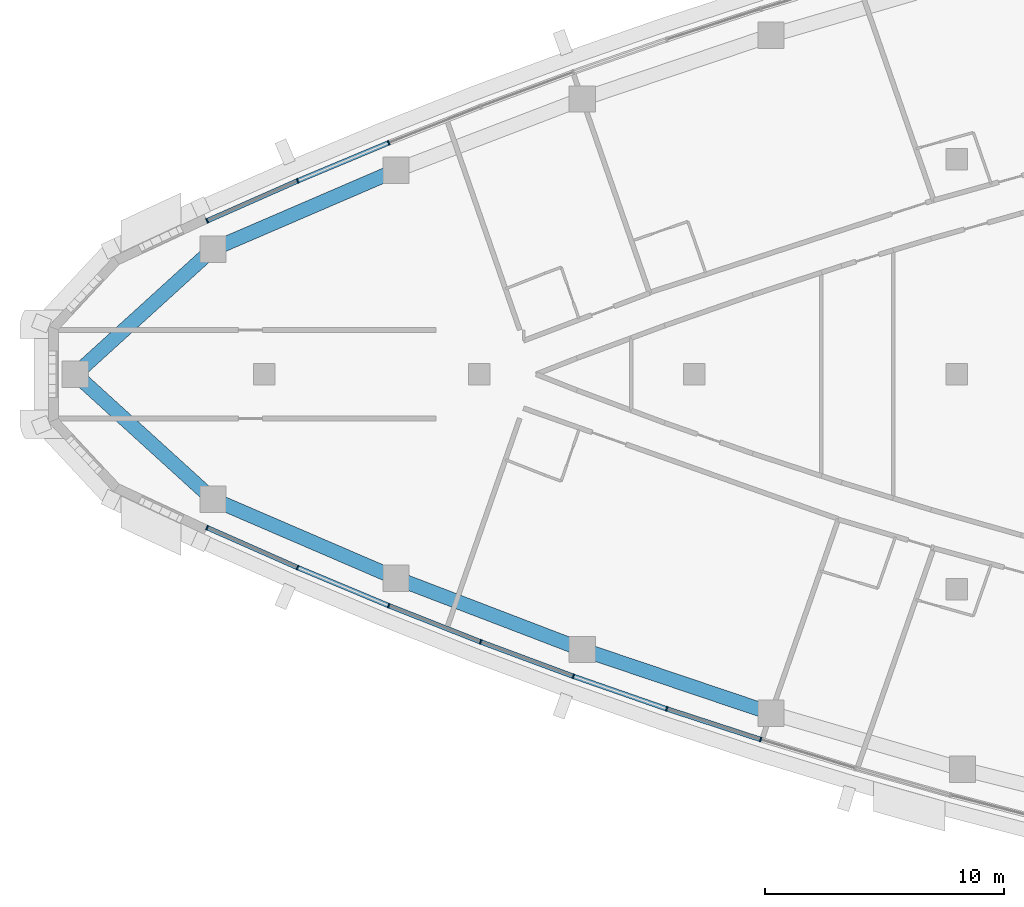
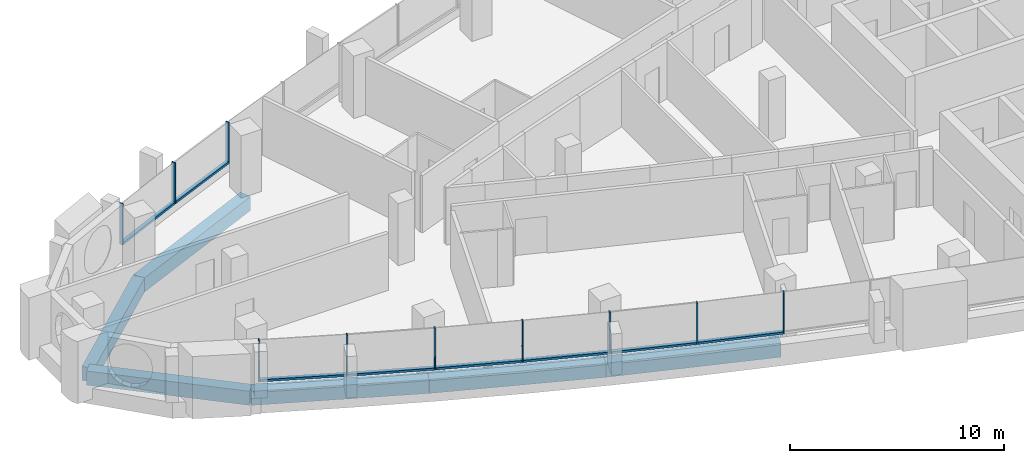
# One storey, part 2 of 14: 18 members, 6 beams, 5 elements without a shape of their own.
"""IFC4 building model written with IfcOpenShell, lengths in metres."""

from ifc_helpers import new_model, si_unit, direction, frame, origin, origin_2d, place, context, subcontext, project, spatial, rectangle, extrude, material, layer, layer_set, material_profile, profile_set, type_object, element, aggregate, save


model = new_model("IFC4")

# Units and contexts
model_context = context("Model", 3, precision=1e-05, world=origin(), true_north=direction((0.0, 1.0)))
body_context = subcontext(model_context, "Body", "Model", "MODEL_VIEW")
ifc_project = project(units=[si_unit("LENGTHUNIT", "METRE"), si_unit("AREAUNIT", "SQUARE_METRE"), si_unit("VOLUMEUNIT", "CUBIC_METRE"), si_unit("PLANEANGLEUNIT", "RADIAN"), si_unit("MASSUNIT", "GRAM", prefix="KILO")], contexts=[model_context])

# Site, building, storey
site_placement = place(None, origin())
site = spatial("IfcSite", under=ifc_project, at=site_placement, CompositionType="ELEMENT")
building_placement = place(site_placement, origin())
building = spatial("IfcBuilding", under=site, at=building_placement, Name="Ostrand Prow Hotel Tower", CompositionType="ELEMENT")
storey_placement = place(building_placement, frame((0.0, 0.0, 271.449951171875)))
storey = spatial("IfcBuildingStorey", under=building, at=storey_placement, Name="L68", CompositionType="ELEMENT", Elevation=271.449951171875)

# Beams
ifc_material_1 = material(Name="Concrete C50/60", Category="concrete")
ifc_material_profile_1 = material_profile(ifc_material_1, rectangle(XDim=0.60009765625, YDim=0.800048828125, at=origin_2d()), Name="RC 600x800")
ifc_profile_set_1 = profile_set([ifc_material_profile_1], Name="Concrete C50/60")
beam_type = type_object("IfcBeamType", Name="Edge beam 600x800 C50/60", PredefinedType="SPANDREL", material=ifc_profile_set_1)
beam_1_placement = place(storey_placement, frame((8.082763671875, 0.0, -0.699951171875), z_axis=(0.740124460758, -0.672469912032, 0.0), x_axis=(0.672469912032, 0.740124460758, 0.0)))
element("IfcBeam", 1, at=beam_1_placement, inside=storey, type_object=beam_type, Name="Edge beam P-S1", PredefinedType="SPANDREL", context=body_context, shape_type="SweptSolid", body=[
    extrude(rectangle(XDim=0.60009765625, YDim=0.800048828125, at=origin_2d()), origin(), (0.0, 0.0, 1.0), 7.787353515625),
])
for number, where, z_axis, x_axis, name in (
    (2, (13.846435546875, -5.23681640625, -0.699951171875), (0.918403788687, -0.39564438695, 0.0), (0.39564438695, 0.918403788687, 0.0), "Edge beam S1-S2"),
    (3, (21.51416015625, -8.5400390625, -0.699951171875), (0.933761753797, -0.357895218111, 0.0), (0.357895218111, 0.933761753797, 0.0), "Edge beam S2-S3"),
    (4, (29.31005859375, -11.528076171875, -0.699951171875), (0.947575089419, -0.319533174981, 0.0), (0.319533174981, 0.947575089419, 0.0), "Edge beam S3-S4"),
    (5, (21.51416015625, 8.5400390625, -0.699951171875), (-0.918403788687, -0.39564438695, 0.0), (0.39564438695, -0.918403788687, 0.0), "Edge beam N5-N6"),
):
    element("IfcBeam", number, at=place(storey_placement, frame(where, z_axis=z_axis, x_axis=x_axis)), inside=storey, type_object=beam_type, Name=name, PredefinedType="SPANDREL", context=body_context, shape_type="SweptSolid", body=[
        extrude(rectangle(XDim=0.60009765625, YDim=0.800048828125, at=origin_2d()), origin(), (0.0, 0.0, 1.0), 8.348876953125),
    ])
beam_2_placement = place(storey_placement, frame((13.846435546875, 5.23681640625, -0.699951171875), z_axis=(-0.740124460758, -0.672469912032, 0.0), x_axis=(0.672469912032, -0.740124460758, 0.0)))
element("IfcBeam", 6, at=beam_2_placement, inside=storey, type_object=beam_type, Name="Edge beam N6-P", PredefinedType="SPANDREL", context=body_context, shape_type="SweptSolid", body=[
    extrude(rectangle(XDim=0.60009765625, YDim=0.800048828125, at=origin_2d()), origin(), (0.0, 0.0, 1.0), 7.787353515625),
])

# Curtain wall, members
ifc_material_2 = material(Name="Insulated glass in bronze anodised frame", Category="glass")
ifc_layer = layer(ifc_material_2, 0.199951171875)
ifc_layer_set = layer_set([ifc_layer], Name="Insulated glass in bronze anodised frame")
curtain_wall_type = type_object("IfcCurtainWallType", Name="Strip curtain wall, fritted glass over bronze spandrel", PredefinedType="NOTDEFINED", material=ifc_layer_set)
curtain_wall_1_placement = place(storey_placement, origin())
curtain_wall_1 = element("IfcCurtainWall", 7, at=curtain_wall_1_placement, inside=storey, type_object=curtain_wall_type, Name="CW1 run CWS1", PredefinedType="NOTDEFINED")
ifc_material_3 = material(Name="Bronze anodised aluminium", Category="aluminium")
ifc_material_profile_2 = material_profile(ifc_material_3, rectangle(XDim=0.199951171875, YDim=0.06005859375, at=origin_2d()), Name="Mullion 60x200 bronze anodised aluminium")
ifc_profile_set_2 = profile_set([ifc_material_profile_2], Name="Bronze anodised aluminium")
member_type_1 = type_object("IfcMemberType", Name="Mullion 60x200 bronze anodised aluminium", PredefinedType="MULLION", material=ifc_profile_set_2)
member_1_placement = place(storey_placement, frame((13.60009765625, -6.423583984375, 0.900146484375), z_axis=(0.0, 0.0, 1.0), x_axis=(0.403939694592, 0.914785615941, 0.0)))
member_1 = element("IfcMember", 8, at=member_1_placement, type_object=member_type_1, Name="CW1 mullion 1", PredefinedType="MULLION", context=body_context, shape_type="SweptSolid", body=[
    extrude(rectangle(XDim=0.199951171875, YDim=0.06005859375, at=origin_2d()), origin(), (0.0, 0.0, 1.0), 2.349853515625),
])
member_2_placement = place(storey_placement, frame((17.386962890625, -8.095947265625, 0.900146484375), z_axis=(0.0, 0.0, 1.0), x_axis=(0.385471263659, 0.922719840955, 0.0)))
member_2 = element("IfcMember", 9, at=member_2_placement, type_object=member_type_1, Name="CW1 mullion 2", PredefinedType="MULLION", context=body_context, shape_type="SweptSolid", body=[
    extrude(rectangle(XDim=0.199951171875, YDim=0.06005859375, at=origin_2d()), origin(), (0.0, 0.0, 1.0), 2.349853515625),
])
member_3_placement = place(storey_placement, frame((21.206787109375, -9.691650390625, 0.900146484375), z_axis=(0.0, 0.0, 1.0), x_axis=(0.385471263659, 0.922719840955, 0.0)))
member_3 = element("IfcMember", 10, at=member_3_placement, type_object=member_type_1, Name="CW1 mullion 3", PredefinedType="MULLION", context=body_context, shape_type="SweptSolid", body=[
    extrude(rectangle(XDim=0.199951171875, YDim=0.06005859375, at=origin_2d()), origin(), (0.0, 0.0, 1.0), 2.349853515625),
])

curtain_wall_2_placement = place(storey_placement, origin())
curtain_wall_2 = element("IfcCurtainWall", 11, at=curtain_wall_2_placement, inside=storey, type_object=curtain_wall_type, Name="CW1 run CWS2", PredefinedType="NOTDEFINED")
member_4_placement = place(storey_placement, frame((25.05810546875, -11.210205078125, 0.900146484375), z_axis=(0.0, 0.0, 1.0), x_axis=(0.348071422738, 0.937468017947, 0.0)))
member_4 = element("IfcMember", 12, at=member_4_placement, type_object=member_type_1, Name="CW1 mullion 2", PredefinedType="MULLION", context=body_context, shape_type="SweptSolid", body=[
    extrude(rectangle(XDim=0.199951171875, YDim=0.06005859375, at=origin_2d()), origin(), (0.0, 0.0, 1.0), 2.349853515625),
])
member_5_placement = place(storey_placement, frame((28.93896484375, -12.6513671875, 0.900146484375), z_axis=(0.0, 0.0, 1.0), x_axis=(0.348071422738, 0.937468017947, 0.0)))
member_5 = element("IfcMember", 13, at=member_5_placement, type_object=member_type_1, Name="CW1 mullion 3", PredefinedType="MULLION", context=body_context, shape_type="SweptSolid", body=[
    extrude(rectangle(XDim=0.199951171875, YDim=0.06005859375, at=origin_2d()), origin(), (0.0, 0.0, 1.0), 2.349853515625),
])

curtain_wall_3_placement = place(storey_placement, origin())
curtain_wall_3 = element("IfcCurtainWall", 14, at=curtain_wall_3_placement, inside=storey, type_object=curtain_wall_type, Name="CW1 run CWS3", PredefinedType="NOTDEFINED")
member_6_placement = place(storey_placement, frame((32.84814453125, -14.013916015625, 0.900146484375), z_axis=(0.0, 0.0, 1.0), x_axis=(0.310110668289, 0.950700464612, 0.0)))
member_6 = element("IfcMember", 15, at=member_6_placement, type_object=member_type_1, Name="CW1 mullion 2", PredefinedType="MULLION", context=body_context, shape_type="SweptSolid", body=[
    extrude(rectangle(XDim=0.199951171875, YDim=0.06005859375, at=origin_2d()), origin(), (0.0, 0.0, 1.0), 2.349853515625),
])
member_7_placement = place(storey_placement, frame((36.78369140625, -15.297607421875, 0.900146484375), z_axis=(0.0, 0.0, 1.0), x_axis=(0.310110668289, 0.950700464612, 0.0)))
member_7 = element("IfcMember", 16, at=member_7_placement, type_object=member_type_1, Name="CW1 mullion 3", PredefinedType="MULLION", context=body_context, shape_type="SweptSolid", body=[
    extrude(rectangle(XDim=0.199951171875, YDim=0.06005859375, at=origin_2d()), origin(), (0.0, 0.0, 1.0), 2.349853515625),
])

# Curtain wall, member
curtain_wall_4_placement = place(storey_placement, origin())
curtain_wall_4 = element("IfcCurtainWall", 17, at=curtain_wall_4_placement, inside=storey, type_object=curtain_wall_type, Name="CW1 run CWN4", PredefinedType="NOTDEFINED")
member_8_placement = place(storey_placement, frame((21.206787109375, 9.691650390625, 0.900146484375), z_axis=(0.0, 0.0, 1.0), x_axis=(0.366845465248, -0.930281895249, 0.0)))
member_8 = element("IfcMember", 18, at=member_8_placement, type_object=member_type_1, Name="CW1 mullion 3", PredefinedType="MULLION", context=body_context, shape_type="SweptSolid", body=[
    extrude(rectangle(XDim=0.199951171875, YDim=0.06005859375, at=origin_2d()), origin(), (0.0, 0.0, 1.0), 2.349853515625),
])
aggregate(curtain_wall_4, [member_8])

# Curtain wall, members
curtain_wall_5_placement = place(storey_placement, origin())
curtain_wall_5 = element("IfcCurtainWall", 19, at=curtain_wall_5_placement, inside=storey, type_object=curtain_wall_type, Name="CW1 run CWN5", PredefinedType="NOTDEFINED")
member_9_placement = place(storey_placement, frame((17.386962890625, 8.095947265625, 0.900146484375), z_axis=(0.0, 0.0, 1.0), x_axis=(0.403939694592, -0.914785615941, 0.0)))
member_9 = element("IfcMember", 20, at=member_9_placement, type_object=member_type_1, Name="CW1 mullion 2", PredefinedType="MULLION", context=body_context, shape_type="SweptSolid", body=[
    extrude(rectangle(XDim=0.199951171875, YDim=0.06005859375, at=origin_2d()), origin(), (0.0, 0.0, 1.0), 2.349853515625),
])
member_10_placement = place(storey_placement, frame((13.60009765625, 6.423583984375, 0.900146484375), z_axis=(0.0, 0.0, 1.0), x_axis=(0.403939694592, -0.914785615941, 0.0)))
member_10 = element("IfcMember", 21, at=member_10_placement, type_object=member_type_1, Name="CW1 mullion 3", PredefinedType="MULLION", context=body_context, shape_type="SweptSolid", body=[
    extrude(rectangle(XDim=0.199951171875, YDim=0.06005859375, at=origin_2d()), origin(), (0.0, 0.0, 1.0), 2.349853515625),
])

# Member
ifc_material_4 = material(Name="Bronze anodised aluminium", Category="aluminium")
ifc_material_profile_3 = material_profile(ifc_material_4, rectangle(XDim=0.199951171875, YDim=0.1201171875, at=origin_2d()), Name="Transom 120x200 bronze anodised aluminium")
ifc_profile_set_3 = profile_set([ifc_material_profile_3], Name="Bronze anodised aluminium")
member_type_2 = type_object("IfcMemberType", Name="Transom 120x200 bronze anodised aluminium", PredefinedType="USERDEFINED", material=ifc_profile_set_3)
member_11_placement = place(storey_placement, frame((13.62744140625, -6.435791015625, 0.9599609375), z_axis=(0.914791011182, -0.403927475991, 0.0), x_axis=(0.403927475991, 0.914791011182, 0.0)))
member_11 = element("IfcMember", 22, at=member_11_placement, type_object=member_type_2, Name="CW1 transom 1.1", ObjectType="TRANSOM", PredefinedType="USERDEFINED", context=body_context, shape_type="SweptSolid", body=[
    extrude(rectangle(XDim=0.199951171875, YDim=0.1201171875, at=origin_2d()), origin(), (0.0, 0.0, 1.0), 4.079833984375),
])

member_12_placement = place(storey_placement, frame((17.414794921875, -8.107421875, 0.9599609375), z_axis=(0.922706465875, -0.385503278628, 0.0), x_axis=(0.385503278628, 0.922706465875, 0.0)))
member_12 = element("IfcMember", 23, at=member_12_placement, type_object=member_type_2, Name="CW1 transom 2.1", ObjectType="TRANSOM", PredefinedType="USERDEFINED", context=body_context, shape_type="SweptSolid", body=[
    extrude(rectangle(XDim=0.199951171875, YDim=0.1201171875, at=origin_2d()), origin(), (0.0, 0.0, 1.0), 4.079833984375),
])

aggregate(curtain_wall_1, [member_1, member_2, member_3, member_11, member_12])

member_13_placement = place(storey_placement, frame((21.23486328125, -9.70263671875, 0.9599609375), z_axis=(0.930289613186, -0.366825892759, 0.0), x_axis=(0.366825892759, 0.930289613186, 0.0)))
member_13 = element("IfcMember", 24, at=member_13_placement, type_object=member_type_2, Name="CW1 transom 1.1", ObjectType="TRANSOM", PredefinedType="USERDEFINED", context=body_context, shape_type="SweptSolid", body=[
    extrude(rectangle(XDim=0.199951171875, YDim=0.1201171875, at=origin_2d()), origin(), (0.0, 0.0, 1.0), 4.079833984375),
])

member_14_placement = place(storey_placement, frame((25.086181640625, -11.220703125, 0.9599609375), z_axis=(0.937460424566, -0.348091873465, 0.0), x_axis=(0.348091873465, 0.937460424566, 0.0)))
member_14 = element("IfcMember", 25, at=member_14_placement, type_object=member_type_2, Name="CW1 transom 2.1", ObjectType="TRANSOM", PredefinedType="USERDEFINED", context=body_context, shape_type="SweptSolid", body=[
    extrude(rectangle(XDim=0.199951171875, YDim=0.1201171875, at=origin_2d()), origin(), (0.0, 0.0, 1.0), 4.079833984375),
])

aggregate(curtain_wall_2, [member_4, member_5, member_13, member_14])

member_15_placement = place(storey_placement, frame((28.96728515625, -12.6611328125, 0.9599609375), z_axis=(0.944268108385, -0.329177367822, 0.0), x_axis=(0.329177367822, 0.944268108385, 0.0)))
member_15 = element("IfcMember", 26, at=member_15_placement, type_object=member_type_2, Name="CW1 transom 1.1", ObjectType="TRANSOM", PredefinedType="USERDEFINED", context=body_context, shape_type="SweptSolid", body=[
    extrude(rectangle(XDim=0.199951171875, YDim=0.1201171875, at=origin_2d()), origin(), (0.0, 0.0, 1.0), 4.079833984375),
])

member_16_placement = place(storey_placement, frame((32.876708984375, -14.023193359375, 0.9599609375), z_axis=(0.950704145978, -0.310099382165, 0.0), x_axis=(0.310099382165, 0.950704145978, 0.0)))
member_16 = element("IfcMember", 27, at=member_16_placement, type_object=member_type_2, Name="CW1 transom 2.1", ObjectType="TRANSOM", PredefinedType="USERDEFINED", context=body_context, shape_type="SweptSolid", body=[
    extrude(rectangle(XDim=0.199951171875, YDim=0.1201171875, at=origin_2d()), origin(), (0.0, 0.0, 1.0), 4.079833984375),
])

aggregate(curtain_wall_3, [member_6, member_7, member_15, member_16])

member_17_placement = place(storey_placement, frame((21.17919921875, 9.68017578125, 0.9599609375), z_axis=(-0.922706465875, -0.385503278628, 0.0), x_axis=(0.385503278628, -0.922706465875, 0.0)))
member_17 = element("IfcMember", 28, at=member_17_placement, type_object=member_type_2, Name="CW1 transom 1.1", ObjectType="TRANSOM", PredefinedType="USERDEFINED", context=body_context, shape_type="SweptSolid", body=[
    extrude(rectangle(XDim=0.199951171875, YDim=0.1201171875, at=origin_2d()), origin(), (0.0, 0.0, 1.0), 4.079833984375),
])

member_18_placement = place(storey_placement, frame((17.359619140625, 8.083740234375, 0.9599609375), z_axis=(-0.914791011182, -0.403927475991, 0.0), x_axis=(0.403927475991, -0.914791011182, 0.0)))
member_18 = element("IfcMember", 29, at=member_18_placement, type_object=member_type_2, Name="CW1 transom 2.1", ObjectType="TRANSOM", PredefinedType="USERDEFINED", context=body_context, shape_type="SweptSolid", body=[
    extrude(rectangle(XDim=0.199951171875, YDim=0.1201171875, at=origin_2d()), origin(), (0.0, 0.0, 1.0), 4.079833984375),
])

aggregate(curtain_wall_5, [member_9, member_10, member_17, member_18])

save(model, "model.ifc")
